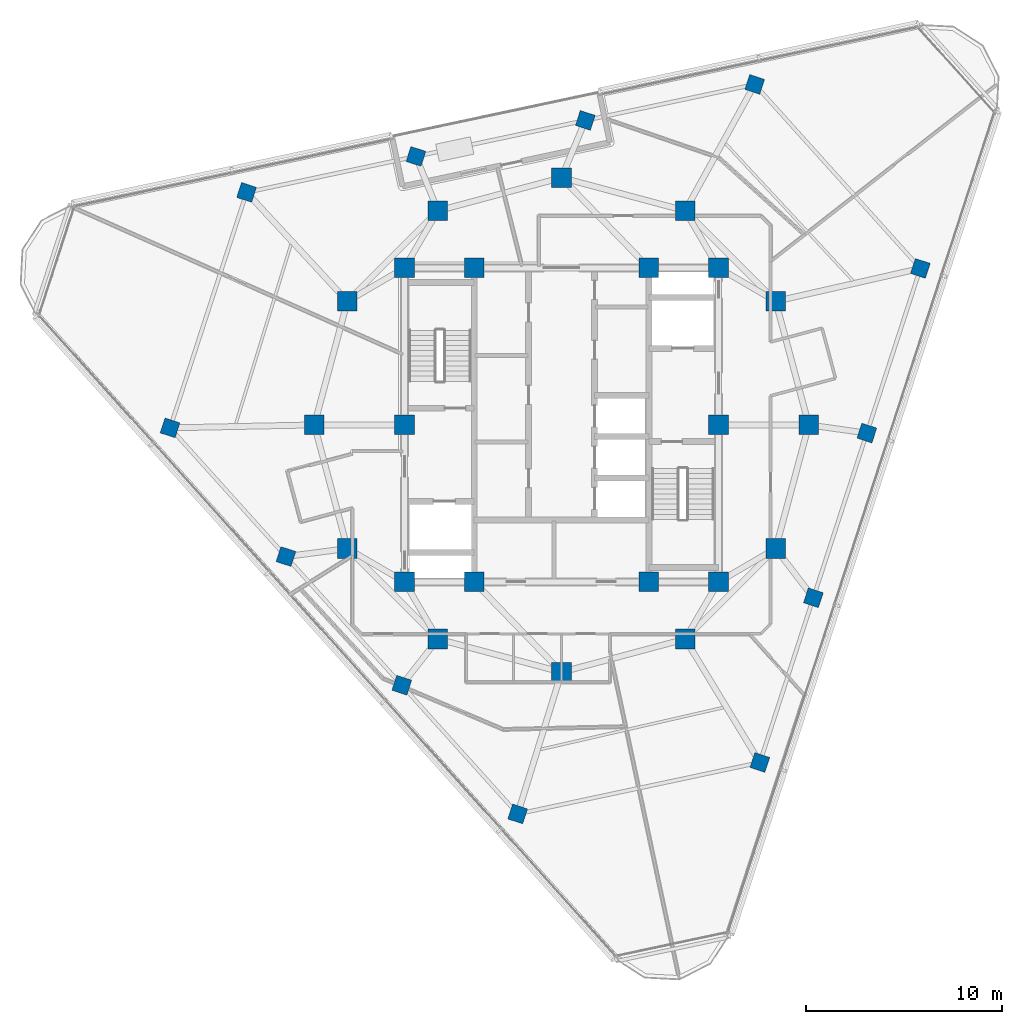
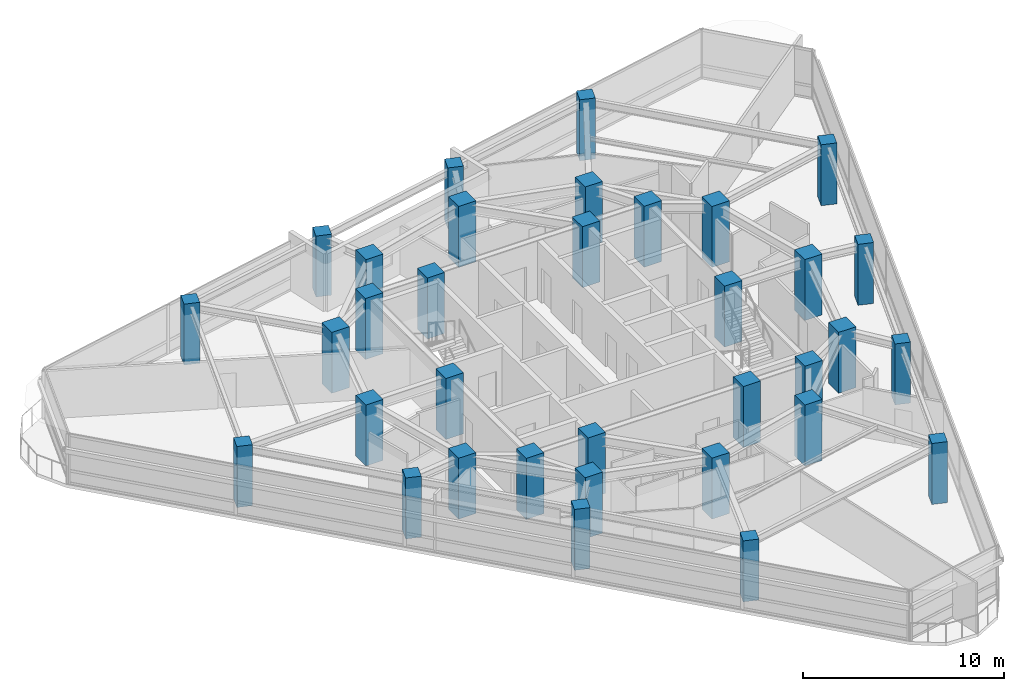
# One storey, part 1 of 15: 34 columns.
"""IFC4 building model written with IfcOpenShell, lengths in metres."""

from ifc_helpers import new_model, si_unit, direction, frame, origin, origin_2d, place, context, subcontext, project, spatial, rectangle, extrude, material, material_profile, profile_set, type_object, element, save


model = new_model("IFC4")

# Units and contexts
model_context = context("Model", 3, precision=1e-05, world=origin(), true_north=direction((0.0, 1.0)))
body_context = subcontext(model_context, "Body", "Model", "MODEL_VIEW")
ifc_project = project(units=[si_unit("LENGTHUNIT", "METRE"), si_unit("AREAUNIT", "SQUARE_METRE"), si_unit("VOLUMEUNIT", "CUBIC_METRE"), si_unit("PLANEANGLEUNIT", "RADIAN"), si_unit("MASSUNIT", "GRAM", prefix="KILO")], contexts=[model_context])

# Site, building, storey
site_placement = place(None, origin())
site = spatial("IfcSite", under=ifc_project, at=site_placement, CompositionType="ELEMENT")
building_placement = place(site_placement, origin())
building = spatial("IfcBuilding", under=site, at=building_placement, Name="Terralouvre Media Tower", CompositionType="ELEMENT")
storey_placement = place(building_placement, frame((0.0, 0.0, 290.60009765625)))
storey = spatial("IfcBuildingStorey", under=building, at=storey_placement, Name="L75", CompositionType="ELEMENT", Elevation=290.60009765625)

# Columns
ifc_material_1 = material(Name="Concrete C50/60", Category="concrete")
ifc_material_profile_1 = material_profile(ifc_material_1, rectangle(XDim=1.0, YDim=1.0, at=origin_2d()), Name="RC 1000x1000")
ifc_profile_set_1 = profile_set([ifc_material_profile_1], Name="Concrete C50/60")
column_type_1 = type_object("IfcColumnType", Name="Structural Column C-RC1000 (RC 1000x1000)", PredefinedType="COLUMN", material=ifc_profile_set_1)
for number, where, z_axis, x_axis, name in (
    (1, (-8.0, -8.0, 0.0), (0.0, 0.0, 1.0), (1.0, 0.0, 0.0), "L75 Core Pilaster Column CP1"),
    (2, (-4.449951171875, -8.0, 0.0), (0.0, 0.0, 1.0), (1.0, 0.0, 0.0), "L75 Core Pilaster Column CP2"),
    (3, (4.449951171875, -8.0, 0.0), (0.0, 0.0, 1.0), (1.0, 0.0, 0.0), "L75 Core Pilaster Column CP10"),
    (4, (8.0, -8.0, 0.0), (0.0, 0.0, 1.0), (1.0, 0.0, 0.0), "L75 Core Pilaster Column CP3"),
    (5, (8.0, 0.0, 0.0), (0.0, 0.0, 1.0), (1.0, 0.0, 0.0), "L75 Core Pilaster Column CP4"),
    (6, (8.0, 8.0, 0.0), (0.0, 0.0, 1.0), (1.0, 0.0, 0.0), "L75 Core Pilaster Column CP5"),
    (7, (4.449951171875, 8.0, 0.0), (0.0, 0.0, 1.0), (1.0, 0.0, 0.0), "L75 Core Pilaster Column CP9"),
    (8, (-4.449951171875, 8.0, 0.0), (0.0, 0.0, 1.0), (1.0, 0.0, 0.0), "L75 Core Pilaster Column CP6"),
    (9, (-8.0, 8.0, 0.0), (0.0, 0.0, 1.0), (1.0, 0.0, 0.0), "L75 Core Pilaster Column CP7"),
    (10, (-8.0, 0.0, 0.0), (0.0, 0.0, 1.0), (1.0, 0.0, 0.0), "L75 Core Pilaster Column CP8"),
    (11, (12.60009765625, 0.0, 0.0), (0.0, 0.0, 1.0), (1.0, 0.0, 0.0), "L75 Mega-Frame Column MC01"),
    (12, (10.911865234375, 6.300048828125, 0.0), (0.0, 0.0, 1.0), (1.0, 0.0, 0.0), "L75 Mega-Frame Column MC02"),
    (13, (6.300048828125, 10.911865234375, 0.0), (0.0, 0.0, 1.0), (1.0, 0.0, 0.0), "L75 Mega-Frame Column MC03"),
    (14, (0.0, 12.60009765625, 0.0), (0.0, 0.0, 1.0), (1.0, 0.0, 0.0), "L75 Mega-Frame Column MC04"),
    (15, (-6.300048828125, 10.911865234375, 0.0), (0.0, 0.0, 1.0), (1.0, 0.0, 0.0), "L75 Mega-Frame Column MC05"),
    (16, (-10.911865234375, 6.300048828125, 0.0), (0.0, 0.0, 1.0), (1.0, 0.0, 0.0), "L75 Mega-Frame Column MC06"),
    (17, (-12.60009765625, 0.0, 0.0), (0.0, 0.0, 1.0), (1.0, 0.0, 0.0), "L75 Mega-Frame Column MC07"),
    (18, (-10.911865234375, -6.300048828125, 0.0), (0.0, 0.0, 1.0), (1.0, 0.0, 0.0), "L75 Mega-Frame Column MC08"),
    (19, (-6.300048828125, -10.911865234375, 0.0), (0.0, 0.0, 1.0), (1.0, 0.0, 0.0), "L75 Mega-Frame Column MC09"),
    (20, (0.0, -12.60009765625, 0.0), (0.0, 0.0, 1.0), (1.0, 0.0, 0.0), "L75 Mega-Frame Column MC10"),
    (21, (6.300048828125, -10.911865234375, 0.0), (0.0, 0.0, 1.0), (1.0, 0.0, 0.0), "L75 Mega-Frame Column MC11"),
    (22, (10.911865234375, -6.300048828125, 0.0), (0.0, 0.0, 1.0), (1.0, 0.0, 0.0), "L75 Mega-Frame Column MC12"),
):
    element("IfcColumn", number, at=place(storey_placement, frame(where, z_axis=z_axis, x_axis=x_axis)), inside=storey, type_object=column_type_1, Name=name, PredefinedType="COLUMN", context=body_context, shape_type="SweptSolid", body=[
        extrude(rectangle(XDim=1.0, YDim=1.0, at=origin_2d()), origin(), (0.0, 0.0, 1.0), 3.699951171875),
    ])
ifc_material_2 = material(Name="Concrete C50/60", Category="concrete")
ifc_material_profile_2 = material_profile(ifc_material_2, rectangle(XDim=0.800048828125, YDim=0.800048828125, at=origin_2d()), Name="RC 800x800")
ifc_profile_set_2 = profile_set([ifc_material_profile_2], Name="Concrete C50/60")
column_type_2 = type_object("IfcColumnType", Name="Structural Column C-RC800 (RC 800x800)", PredefinedType="COLUMN", material=ifc_profile_set_2)
for number, where, z_axis, x_axis, name in (
    (23, (10.105712890625, -17.20068359375, 0.0), (0.0, 0.0, 1.0), (0.309016994375, 0.951056516295, 0.0), "L75 Perimeter Mega-Column PC11"),
    (24, (12.83251953125, -8.80859375, 0.0), (0.0, 0.0, 1.0), (0.309016994375, 0.951056516295, 0.0), "L75 Perimeter Mega-Column PC12"),
    (25, (15.55908203125, -0.41650390625, 0.0), (0.0, 0.0, 1.0), (0.309016994375, 0.951056516295, 0.0), "L75 Perimeter Mega-Column PC13"),
    (26, (18.285888671875, 7.9755859375, 0.0), (0.0, 0.0, 1.0), (0.309016994375, 0.951056516295, 0.0), "L75 Perimeter Mega-Column PC14"),
    (27, (9.843505859375, 17.35205078125, 0.0), (0.0, 0.0, 1.0), (0.309016994375, 0.951056516295, 0.0), "L75 Perimeter Mega-Column PC21"),
    (28, (1.212158203125, 15.517578125, 0.0), (0.0, 0.0, 1.0), (0.309016994375, 0.951056516295, 0.0), "L75 Perimeter Mega-Column PC22"),
    (29, (-7.4189453125, 13.682861328125, 0.0), (0.0, 0.0, 1.0), (0.309016994375, 0.951056516295, 0.0), "L75 Perimeter Mega-Column PC23"),
    (30, (-16.050048828125, 11.84814453125, 0.0), (0.0, 0.0, 1.0), (0.309016994375, 0.951056516295, 0.0), "L75 Perimeter Mega-Column PC24"),
    (31, (-19.948974609375, -0.1513671875, 0.0), (0.0, 0.0, 1.0), (0.309016994375, 0.951056516295, 0.0), "L75 Perimeter Mega-Column PC31"),
    (32, (-14.044677734375, -6.708984375, 0.0), (0.0, 0.0, 1.0), (0.309016994375, 0.951056516295, 0.0), "L75 Perimeter Mega-Column PC32"),
    (33, (-8.14013671875, -13.266357421875, 0.0), (0.0, 0.0, 1.0), (0.309016994375, 0.951056516295, 0.0), "L75 Perimeter Mega-Column PC33"),
    (34, (-2.23583984375, -19.823974609375, 0.0), (0.0, 0.0, 1.0), (0.309016994375, 0.951056516295, 0.0), "L75 Perimeter Mega-Column PC34"),
):
    element("IfcColumn", number, at=place(storey_placement, frame(where, z_axis=z_axis, x_axis=x_axis)), inside=storey, type_object=column_type_2, Name=name, PredefinedType="COLUMN", context=body_context, shape_type="SweptSolid", body=[
        extrude(rectangle(XDim=0.800048828125, YDim=0.800048828125, at=origin_2d()), origin(), (0.0, 0.0, 1.0), 3.699951171875),
    ])

save(model, "model.ifc")
